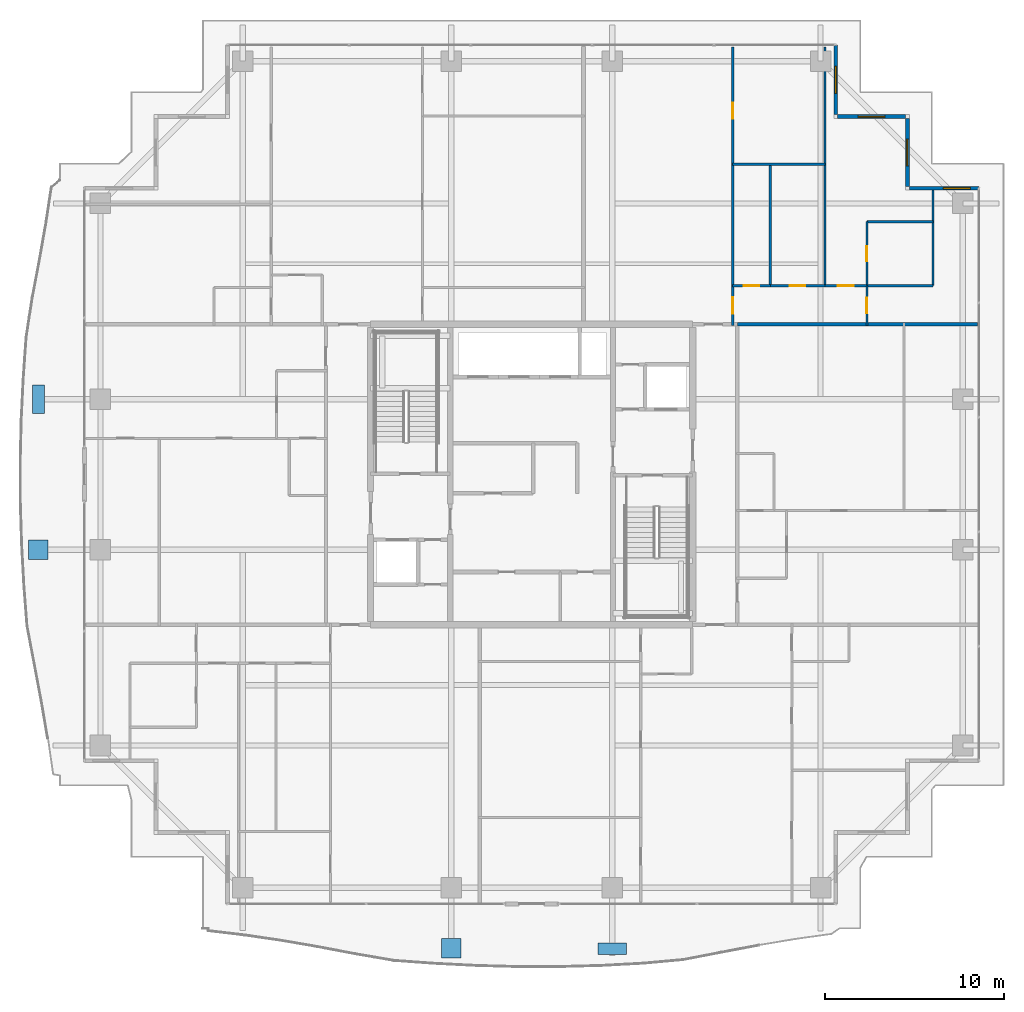
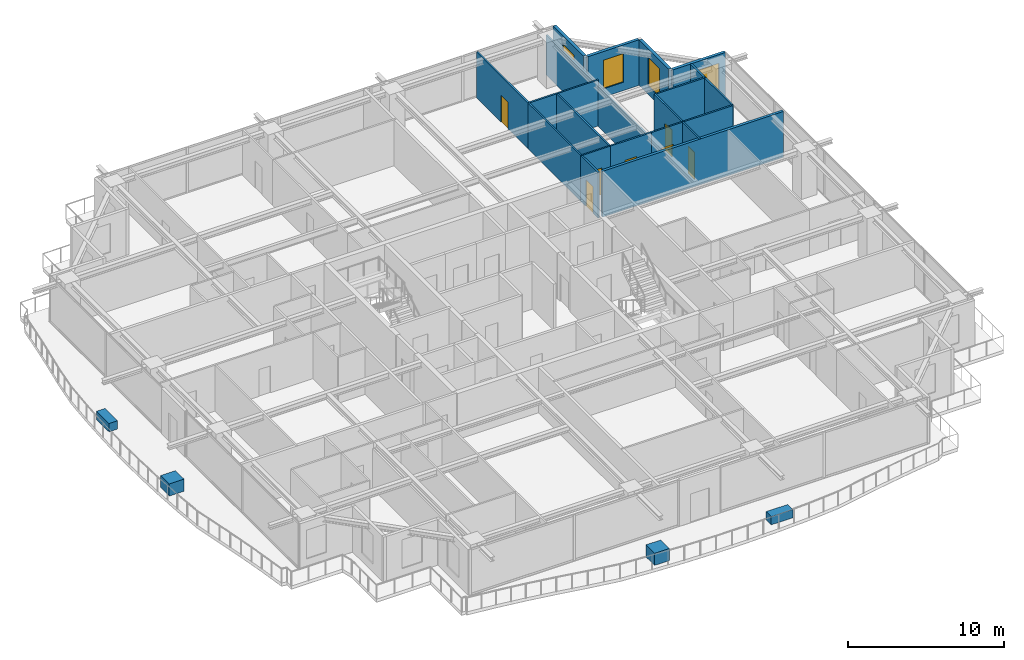
# One storey, part 28 of 35: 19 walls, 7 doors, 4 discrete accessories, 4 windows, 11 openings.
"""IFC4 building model written with IfcOpenShell, lengths in metres."""

from ifc_helpers import new_model, si_unit, direction, frame, frame_2d, origin, origin_2d, place, context, subcontext, project, spatial, rectangle, extrude, source, transform, mapped, material, layer, layer_set, type_object, element, fill, save


model = new_model("IFC4")

# Units and contexts
model_context = context("Model", 3, precision=1e-05, world=origin(), true_north=direction((0.0, 1.0)))
body_context = subcontext(model_context, "Body", "Model", "MODEL_VIEW")
ifc_project = project(units=[si_unit("LENGTHUNIT", "METRE"), si_unit("AREAUNIT", "SQUARE_METRE"), si_unit("VOLUMEUNIT", "CUBIC_METRE"), si_unit("PLANEANGLEUNIT", "RADIAN"), si_unit("MASSUNIT", "GRAM", prefix="KILO")], contexts=[model_context])

# Site, building, storey
site_placement = place(None, origin())
site = spatial("IfcSite", under=ifc_project, at=site_placement, CompositionType="ELEMENT")
building_placement = place(site_placement, origin())
building = spatial("IfcBuilding", under=site, at=building_placement, Name="Serunith Strait Residences", CompositionType="ELEMENT")
storey_placement = place(building_placement, frame((0.0, 0.0, 214.300048828125)))
storey = spatial("IfcBuildingStorey", under=building, at=storey_placement, Name="L53", CompositionType="ELEMENT", Elevation=214.300048828125)

# Wall, opening, window
ifc_material_1 = material(Name="Pale-Champagne Aluminium Insulated Panel", Category="aluminium")
ifc_layer_1 = layer(ifc_material_1, 0.219970703125, Name="Pale-Champagne Aluminium Insulated Panel")
ifc_layer_set_1 = layer_set([ifc_layer_1], Name="Pale-Champagne Aluminium Insulated Panel")
wall_type_1 = type_object("IfcWallType", Name="EW-ALUM-220", PredefinedType="ELEMENTEDWALL", material=ifc_layer_set_1)
wall_1_placement = place(storey_placement, frame((57.39990234375, 41.199951171875, 0.0), z_axis=(0.0, 0.0, 1.0), x_axis=(-1.0, 0.0, 0.0)))
wall_1 = element("IfcWall", 1, at=wall_1_placement, inside=storey, type_object=wall_type_1, Name="L53 Girih Serrated Corner Wall 07", PredefinedType="ELEMENTEDWALL", context=body_context, shape_type="SweptSolid", body=[
    extrude(rectangle(XDim=3.889892578125, YDim=0.219970703125, at=frame_2d((1.94482421875, 0.0))), origin(), (0.0, 0.0, 1.0), 3.574951171875),
])
opening_1_placement = place(wall_1_placement, frame((0.47802734375, 0.0, 0.64990234375)))
opening_1 = element("IfcOpeningElement", 2, at=opening_1_placement, cuts=wall_1, Name="Opening W-05", PredefinedType="OPENING", context=body_context, shape_type="SweptSolid", body=[
    extrude(rectangle(XDim=1.5, YDim=2.25, at=frame_2d((0.75, 1.125))), frame((0.0, 0.1201171875, 0.0), z_axis=(0.0, -1.0, 0.0), x_axis=(1.0, 0.0, 0.0)), (0.0, 0.0, 1.0), 0.239990234375),
])
ifc_material_2 = material(Name="Ceramic-Fritted Operable Aluminium Window Glass", Category="aluminium")
window_type = type_object("IfcWindowType", Name="WIN-C5", PartitioningType="DOUBLE_PANEL_VERTICAL", PredefinedType="WINDOW", material=ifc_material_2)
shared_shape_1 = source(origin(), body_context, "Body", "SweptSolid", [
    extrude(rectangle(XDim=1.5, YDim=2.25, at=frame_2d((0.75, 1.125))), frame((0.0, 0.030029296875, 0.0), z_axis=(0.0, -1.0, 0.0), x_axis=(1.0, 0.0, 0.0)), (0.0, 0.0, 1.0), 0.06005859375),
])
window_1_placement = place(opening_1_placement, origin())
window_1 = element("IfcWindow", 3, at=window_1_placement, inside=storey, type_object=window_type, Name="L53 Corner Operable Fritted Window 07", OverallHeight=2.25, OverallWidth=1.5, PartitioningType="SINGLE_PANEL", PredefinedType="WINDOW", context=body_context, shape_type="MappedRepresentation", body=[
    mapped(shared_shape_1, transform((0.0, 0.0, 0.0), scale=1.0)),
])
fill(opening_1, window_1)

wall_2_placement = place(storey_placement, frame((53.39990234375, 41.31005859375, 0.0), z_axis=(0.0, 0.0, 1.0), x_axis=(0.0, 1.0, 0.0)))
wall_2 = element("IfcWall", 4, at=wall_2_placement, inside=storey, type_object=wall_type_1, Name="L53 Girih Serrated Corner Wall 08", PredefinedType="ELEMENTEDWALL", context=body_context, shape_type="SweptSolid", body=[
    extrude(rectangle(XDim=3.780029296875, YDim=0.219970703125, at=frame_2d((1.89013671875, 0.0))), origin(), (0.0, 0.0, 1.0), 3.574951171875),
])
opening_2_placement = place(wall_2_placement, frame((1.139892578125, 0.0, 0.64990234375)))
opening_2 = element("IfcOpeningElement", 5, at=opening_2_placement, cuts=wall_2, Name="Opening W-05", PredefinedType="OPENING", context=body_context, shape_type="SweptSolid", body=[
    extrude(rectangle(XDim=1.5, YDim=2.25, at=frame_2d((0.75, 1.125))), frame((0.0, 0.1201171875, 0.0), z_axis=(0.0, -1.0, 0.0), x_axis=(1.0, 0.0, 0.0)), (0.0, 0.0, 1.0), 0.239990234375),
])
window_2_placement = place(opening_2_placement, origin())
window_2 = element("IfcWindow", 6, at=window_2_placement, inside=storey, type_object=window_type, Name="L53 Corner Operable Fritted Window 08", OverallHeight=2.25, OverallWidth=1.5, PartitioningType="SINGLE_PANEL", PredefinedType="WINDOW", context=body_context, shape_type="MappedRepresentation", body=[
    mapped(shared_shape_1, transform((0.0, 0.0, 0.0), scale=1.0)),
])
fill(opening_2, window_2)

wall_3_placement = place(storey_placement, frame((53.2900390625, 45.199951171875, 0.0), z_axis=(0.0, 0.0, 1.0), x_axis=(-1.0, 0.0, 0.0)))
wall_3 = element("IfcWall", 7, at=wall_3_placement, inside=storey, type_object=wall_type_1, Name="L53 Girih Serrated Corner Wall 09", PredefinedType="ELEMENTEDWALL", context=body_context, shape_type="SweptSolid", body=[
    extrude(rectangle(XDim=3.780029296875, YDim=0.219970703125, at=frame_2d((1.89013671875, 0.0))), origin(), (0.0, 0.0, 1.0), 3.574951171875),
])
opening_3_placement = place(wall_3_placement, frame((1.139892578125, 0.0, 0.64990234375)))
opening_3 = element("IfcOpeningElement", 8, at=opening_3_placement, cuts=wall_3, Name="Opening W-05", PredefinedType="OPENING", context=body_context, shape_type="SweptSolid", body=[
    extrude(rectangle(XDim=1.5, YDim=2.25, at=frame_2d((0.75, 1.125))), frame((0.0, 0.1201171875, 0.0), z_axis=(0.0, -1.0, 0.0), x_axis=(1.0, 0.0, 0.0)), (0.0, 0.0, 1.0), 0.239990234375),
])
window_3_placement = place(opening_3_placement, origin())
window_3 = element("IfcWindow", 9, at=window_3_placement, inside=storey, type_object=window_type, Name="L53 Corner Operable Fritted Window 09", OverallHeight=2.25, OverallWidth=1.5, PartitioningType="SINGLE_PANEL", PredefinedType="WINDOW", context=body_context, shape_type="MappedRepresentation", body=[
    mapped(shared_shape_1, transform((0.0, 0.0, 0.0), scale=1.0)),
])
fill(opening_3, window_3)

wall_4_placement = place(storey_placement, frame((49.39990234375, 45.31005859375, 0.0), z_axis=(0.0, 0.0, 1.0), x_axis=(0.0, 1.0, 0.0)))
wall_4 = element("IfcWall", 10, at=wall_4_placement, inside=storey, type_object=wall_type_1, Name="L53 Girih Serrated Corner Wall 10", PredefinedType="ELEMENTEDWALL", context=body_context, shape_type="SweptSolid", body=[
    extrude(rectangle(XDim=3.889892578125, YDim=0.219970703125, at=frame_2d((1.94482421875, 0.0))), origin(), (0.0, 0.0, 1.0), 3.574951171875),
])
opening_4_placement = place(wall_4_placement, frame((1.195068359375, 0.0, 0.64990234375)))
opening_4 = element("IfcOpeningElement", 11, at=opening_4_placement, cuts=wall_4, Name="Opening W-05", PredefinedType="OPENING", context=body_context, shape_type="SweptSolid", body=[
    extrude(rectangle(XDim=1.5, YDim=2.25, at=frame_2d((0.75, 1.125))), frame((0.0, 0.1201171875, 0.0), z_axis=(0.0, -1.0, 0.0), x_axis=(1.0, 0.0, 0.0)), (0.0, 0.0, 1.0), 0.239990234375),
])
window_4_placement = place(opening_4_placement, origin())
window_4 = element("IfcWindow", 12, at=window_4_placement, inside=storey, type_object=window_type, Name="L53 Corner Operable Fritted Window 10", OverallHeight=2.25, OverallWidth=1.5, PartitioningType="SINGLE_PANEL", PredefinedType="WINDOW", context=body_context, shape_type="MappedRepresentation", body=[
    mapped(shared_shape_1, transform((0.0, 0.0, 0.0), scale=1.0)),
])
fill(opening_4, window_4)

# Wall, opening, door
ifc_material_3 = material(Name="Lightweight steel-stud gypsum partition", Category="steel")
ifc_layer_2 = layer(ifc_material_3, 0.1201171875, Name="Lightweight steel-stud gypsum partition")
ifc_layer_set_2 = layer_set([ifc_layer_2], Name="Lightweight steel-stud gypsum partition")
wall_type_2 = type_object("IfcWallType", Name="IW-PART-120", PredefinedType="PARTITIONING", material=ifc_layer_set_2)
wall_5_placement = place(storey_placement, frame((43.639892578125, 35.75, 0.0), z_axis=(0.0, 0.0, 1.0), x_axis=(0.0, -1.0, 0.0)))
wall_5 = element("IfcWall", 13, at=wall_5_placement, inside=storey, type_object=wall_type_2, Name="L53 Partition Wall 072", PredefinedType="PARTITIONING", context=body_context, shape_type="SweptSolid", body=[
    extrude(rectangle(XDim=2.2099609375, YDim=0.1201171875, at=frame_2d((1.10498046875, 0.0))), origin(), (0.0, 0.0, 1.0), 3.58984375),
])
opening_5_placement = place(wall_5_placement, frame((0.655029296875, 0.0, 0.0)))
opening_5 = element("IfcOpeningElement", 14, at=opening_5_placement, cuts=wall_5, Name="Opening D-RM900", PredefinedType="OPENING", context=body_context, shape_type="SweptSolid", body=[
    extrude(rectangle(XDim=0.89990234375, YDim=2.10009765625, at=frame_2d((0.449951171875, 1.050048828125))), frame((0.0, 0.070068359375, 0.0), z_axis=(0.0, -1.0, 0.0), x_axis=(1.0, 0.0, 0.0)), (0.0, 0.0, 1.0), 0.14013671875),
])
ifc_material_4 = material(Name="Engineered timber flush bedroom door", Category="wood")
door_type_1 = type_object("IfcDoorType", Name="ID-ROOM-900", OperationType="NOTDEFINED", PredefinedType="DOOR", material=ifc_material_4)
shared_shape_2 = source(origin(), body_context, "Body", "SweptSolid", [
    extrude(rectangle(XDim=0.89990234375, YDim=2.10009765625, at=frame_2d((0.449951171875, 1.050048828125))), frame((0.0, 0.02490234375, 0.0), z_axis=(0.0, -1.0, 0.0), x_axis=(1.0, 0.0, 0.0)), (0.0, 0.0, 1.0), 0.050048828125),
])
door_1_placement = place(opening_5_placement, origin())
door_1 = element("IfcDoor", 15, at=door_1_placement, inside=storey, type_object=door_type_1, Name="L53 Hall E 5304 Door", OperationType="SINGLE_SWING_LEFT", OverallHeight=2.10009765625, OverallWidth=0.89990234375, PredefinedType="DOOR", context=body_context, shape_type="MappedRepresentation", body=[
    mapped(shared_shape_2, transform((0.0, 0.0, 0.0), scale=1.0)),
])
fill(opening_5, door_1)

wall_6_placement = place(storey_placement, frame((43.639892578125, 49.10498046875, 0.0), z_axis=(0.0, 0.0, 1.0), x_axis=(0.0, -1.0, 0.0)))
wall_6 = element("IfcWall", 16, at=wall_6_placement, inside=storey, type_object=wall_type_2, Name="L53 Partition Wall 073", PredefinedType="PARTITIONING", context=body_context, shape_type="SweptSolid", body=[
    extrude(rectangle(XDim=6.56494140625, YDim=0.1201171875, at=frame_2d((3.282470703125, 0.0))), origin(), (0.0, 0.0, 1.0), 3.58984375),
])
opening_6_placement = place(wall_6_placement, frame((3.115966796875, 0.0, 0.0)))
opening_6 = element("IfcOpeningElement", 17, at=opening_6_placement, cuts=wall_6, Name="Opening D-RM900", PredefinedType="OPENING", context=body_context, shape_type="SweptSolid", body=[
    extrude(rectangle(XDim=0.89990234375, YDim=2.10009765625, at=frame_2d((0.449951171875, 1.050048828125))), frame((0.0, 0.070068359375, 0.0), z_axis=(0.0, -1.0, 0.0), x_axis=(1.0, 0.0, 0.0)), (0.0, 0.0, 1.0), 0.14013671875),
])
door_2_placement = place(opening_6_placement, origin())
door_2 = element("IfcDoor", 18, at=door_2_placement, inside=storey, type_object=door_type_1, Name="L53 Formal Dining Room 1 5304 Door", OperationType="SINGLE_SWING_RIGHT", OverallHeight=2.10009765625, OverallWidth=0.89990234375, PredefinedType="DOOR", context=body_context, shape_type="MappedRepresentation", body=[
    mapped(shared_shape_2, transform((0.0, 0.0, 0.0), scale=1.0)),
])
fill(opening_6, door_2)

# Walls
wall_7_placement = place(storey_placement, frame((43.639892578125, 42.5380859375, 0.0), z_axis=(0.0, 0.0, 1.0), x_axis=(0.0, -1.0, 0.0)))
element("IfcWall", 19, at=wall_7_placement, inside=storey, type_object=wall_type_2, Name="L53 Partition Wall 074", PredefinedType="PARTITIONING", context=body_context, shape_type="SweptSolid", body=[
    extrude(rectangle(XDim=6.7861328125, YDim=0.1201171875, at=frame_2d((3.39306640625, 0.0))), origin(), (0.0, 0.0, 1.0), 3.58984375),
])
wall_8_placement = place(storey_placement, frame((43.639892578125, 42.5400390625, 0.0), z_axis=(0.0, 0.0, 1.0), x_axis=(1.0, 0.0, 0.0)))
element("IfcWall", 20, at=wall_8_placement, inside=storey, type_object=wall_type_2, Name="L53 Partition Wall 075", PredefinedType="PARTITIONING", context=body_context, shape_type="SweptSolid", body=[
    extrude(rectangle(XDim=5.150146484375, YDim=0.1201171875, at=frame_2d((2.5751953125, 0.0))), origin(), (0.0, 0.0, 1.0), 3.58984375),
])
wall_9_placement = place(storey_placement, frame((48.7900390625, 49.10498046875, 0.0), z_axis=(0.0, 0.0, 1.0), x_axis=(0.0, -1.0, 0.0)))
element("IfcWall", 21, at=wall_9_placement, inside=storey, type_object=wall_type_2, Name="L53 Partition Wall 076", PredefinedType="PARTITIONING", context=body_context, shape_type="SweptSolid", body=[
    extrude(rectangle(XDim=13.35498046875, YDim=0.1201171875, at=frame_2d((6.677490234375, 0.0))), origin(), (0.0, 0.0, 1.0), 3.1220703125),
])
wall_10_placement = place(storey_placement, frame((45.739990234375, 42.5400390625, 0.0), z_axis=(0.0, 0.0, 1.0), x_axis=(0.0, -1.0, 0.0)))
element("IfcWall", 22, at=wall_10_placement, inside=storey, type_object=wall_type_2, Name="L53 Partition Wall 077", PredefinedType="PARTITIONING", context=body_context, shape_type="SweptSolid", body=[
    extrude(rectangle(XDim=6.7900390625, YDim=0.1201171875, at=frame_2d((3.39501953125, 0.0))), origin(), (0.0, 0.0, 1.0), 3.58984375),
])

# Wall, opening, door
wall_11_placement = place(storey_placement, frame((43.639892578125, 35.75, 0.0), z_axis=(0.0, 0.0, 1.0), x_axis=(1.0, 0.0, 0.0)))
wall_11 = element("IfcWall", 23, at=wall_11_placement, inside=storey, type_object=wall_type_2, Name="L53 Partition Wall 078", PredefinedType="PARTITIONING", context=body_context, shape_type="SweptSolid", body=[
    extrude(rectangle(XDim=2.10009765625, YDim=0.1201171875, at=frame_2d((1.050048828125, 0.0))), origin(), (0.0, 0.0, 1.0), 3.58984375),
])
opening_7_placement = place(wall_11_placement, frame((0.625, 0.0, 0.0)))
opening_7 = element("IfcOpeningElement", 24, at=opening_7_placement, cuts=wall_11, Name="Opening D-BTH850", PredefinedType="OPENING", context=body_context, shape_type="SweptSolid", body=[
    extrude(rectangle(XDim=0.85009765625, YDim=2.10009765625, at=frame_2d((0.425048828125, 1.050048828125))), frame((0.0, 0.070068359375, 0.0), z_axis=(0.0, -1.0, 0.0), x_axis=(1.0, 0.0, 0.0)), (0.0, 0.0, 1.0), 0.14013671875),
])
ifc_material_5 = material(Name="Moisture-resistant timber bathroom door", Category="wood")
door_type_2 = type_object("IfcDoorType", Name="ID-BATH-850", OperationType="NOTDEFINED", PredefinedType="DOOR", material=ifc_material_5)
shared_shape_3 = source(origin(), body_context, "Body", "SweptSolid", [
    extrude(rectangle(XDim=0.85009765625, YDim=2.10009765625, at=frame_2d((0.425048828125, 1.050048828125))), frame((0.0, 0.02490234375, 0.0), z_axis=(0.0, -1.0, 0.0), x_axis=(1.0, 0.0, 0.0)), (0.0, 0.0, 1.0), 0.050048828125),
])
door_3_placement = place(opening_7_placement, origin())
door_3 = element("IfcDoor", 25, at=door_3_placement, inside=storey, type_object=door_type_2, Name="L53 Bathroom 5304 Door", OperationType="SINGLE_SWING_LEFT", OverallHeight=2.10009765625, OverallWidth=0.85009765625, PredefinedType="DOOR", context=body_context, shape_type="MappedRepresentation", body=[
    mapped(shared_shape_3, transform((0.0, 0.0, 0.0), scale=1.0)),
])
fill(opening_7, door_3)

wall_12_placement = place(storey_placement, frame((45.741943359375, 35.75, 0.0), z_axis=(0.0, 0.0, 1.0), x_axis=(1.0, 0.0, 0.0)))
wall_12 = element("IfcWall", 26, at=wall_12_placement, inside=storey, type_object=wall_type_2, Name="L53 Partition Wall 079", PredefinedType="PARTITIONING", context=body_context, shape_type="SweptSolid", body=[
    extrude(rectangle(XDim=3.048095703125, YDim=0.1201171875, at=frame_2d((1.52392578125, 0.0))), origin(), (0.0, 0.0, 1.0), 3.58984375),
])
opening_8_placement = place(wall_12_placement, frame((1.09912109375, 0.0, 0.0)))
opening_8 = element("IfcOpeningElement", 27, at=opening_8_placement, cuts=wall_12, Name="Opening D-RM850", PredefinedType="OPENING", context=body_context, shape_type="SweptSolid", body=[
    extrude(rectangle(XDim=0.85009765625, YDim=2.10009765625, at=frame_2d((0.425048828125, 1.050048828125))), frame((0.0, 0.070068359375, 0.0), z_axis=(0.0, -1.0, 0.0), x_axis=(1.0, 0.0, 0.0)), (0.0, 0.0, 1.0), 0.14013671875),
])
ifc_material_6 = material(Name="Engineered timber flush study and kitchen door", Category="wood")
door_type_3 = type_object("IfcDoorType", Name="ID-ROOM-850", OperationType="NOTDEFINED", PredefinedType="DOOR", material=ifc_material_6)
door_4_placement = place(opening_8_placement, origin())
door_4 = element("IfcDoor", 28, at=door_4_placement, inside=storey, type_object=door_type_3, Name="L53 Kitchen 5304 Door", OperationType="SINGLE_SWING_RIGHT", OverallHeight=2.10009765625, OverallWidth=0.85009765625, PredefinedType="DOOR", context=body_context, shape_type="MappedRepresentation", body=[
    mapped(shared_shape_3, transform((0.0, 0.0, 0.0), scale=1.0)),
])
fill(opening_8, door_4)

wall_13_placement = place(storey_placement, frame((48.7919921875, 35.75, 0.0), z_axis=(0.0, 0.0, 1.0), x_axis=(1.0, 0.0, 0.0)))
wall_13 = element("IfcWall", 29, at=wall_13_placement, inside=storey, type_object=wall_type_2, Name="L53 Partition Wall 080", PredefinedType="PARTITIONING", context=body_context, shape_type="SweptSolid", body=[
    extrude(rectangle(XDim=2.347900390625, YDim=0.1201171875, at=frame_2d((1.173828125, 0.0))), origin(), (0.0, 0.0, 1.0), 3.58984375),
])
opening_9_placement = place(wall_13_placement, frame((0.72412109375, 0.0, 0.0)))
opening_9 = element("IfcOpeningElement", 30, at=opening_9_placement, cuts=wall_13, Name="Opening D-RM900", PredefinedType="OPENING", context=body_context, shape_type="SweptSolid", body=[
    extrude(rectangle(XDim=0.89990234375, YDim=2.10009765625, at=frame_2d((0.449951171875, 1.050048828125))), frame((0.0, 0.070068359375, 0.0), z_axis=(0.0, -1.0, 0.0), x_axis=(1.0, 0.0, 0.0)), (0.0, 0.0, 1.0), 0.14013671875),
])
door_5_placement = place(opening_9_placement, origin())
door_5 = element("IfcDoor", 31, at=door_5_placement, inside=storey, type_object=door_type_1, Name="L53 Master Bedroom E 5304 Door", OperationType="SINGLE_SWING_LEFT", OverallHeight=2.10009765625, OverallWidth=0.89990234375, PredefinedType="DOOR", context=body_context, shape_type="MappedRepresentation", body=[
    mapped(shared_shape_2, transform((0.0, 0.0, 0.0), scale=1.0)),
])
fill(opening_9, door_5)

# Walls
wall_14_placement = place(storey_placement, frame((51.139892578125, 39.3291015625, 0.0), z_axis=(0.0, 0.0, 1.0), x_axis=(1.0, 0.0, 0.0)))
element("IfcWall", 32, at=wall_14_placement, inside=storey, type_object=wall_type_2, Name="L53 Partition Wall 081", PredefinedType="PARTITIONING", context=body_context, shape_type="SweptSolid", body=[
    extrude(rectangle(XDim=3.7001953125, YDim=0.1201171875, at=frame_2d((1.85009765625, 0.0))), origin(), (0.0, 0.0, 1.0), 3.58984375),
])
wall_15_placement = place(storey_placement, frame((54.840087890625, 41.10498046875, 0.0), z_axis=(0.0, 0.0, 1.0), x_axis=(0.0, -1.0, 0.0)))
element("IfcWall", 33, at=wall_15_placement, inside=storey, type_object=wall_type_2, Name="L53 Partition Wall 082", PredefinedType="PARTITIONING", context=body_context, shape_type="SweptSolid", body=[
    extrude(rectangle(XDim=5.35498046875, YDim=0.1201171875, at=frame_2d((2.677490234375, 0.0))), origin(), (0.0, 0.0, 1.0), 3.58984375),
])
wall_16_placement = place(storey_placement, frame((51.14208984375, 35.75, 0.0), z_axis=(0.0, 0.0, 1.0), x_axis=(1.0, 0.0, 0.0)))
element("IfcWall", 34, at=wall_16_placement, inside=storey, type_object=wall_type_2, Name="L53 Partition Wall 083", PredefinedType="PARTITIONING", context=body_context, shape_type="SweptSolid", body=[
    extrude(rectangle(XDim=3.697998046875, YDim=0.1201171875, at=frame_2d((1.84912109375, 0.0))), origin(), (0.0, 0.0, 1.0), 3.58984375),
])

# Wall, opening, door
wall_17_placement = place(storey_placement, frame((51.139892578125, 39.3291015625, 0.0), z_axis=(0.0, 0.0, 1.0), x_axis=(0.0, -1.0, 0.0)))
wall_17 = element("IfcWall", 35, at=wall_17_placement, inside=storey, type_object=wall_type_2, Name="L53 Partition Wall 084", PredefinedType="PARTITIONING", context=body_context, shape_type="SweptSolid", body=[
    extrude(rectangle(XDim=3.5791015625, YDim=0.1201171875, at=frame_2d((1.78955078125, 0.0))), origin(), (0.0, 0.0, 1.0), 3.58984375),
])
opening_10_placement = place(wall_17_placement, frame((1.364990234375, 0.0, 0.0)))
opening_10 = element("IfcOpeningElement", 36, at=opening_10_placement, cuts=wall_17, Name="Opening D-BTH850", PredefinedType="OPENING", context=body_context, shape_type="SweptSolid", body=[
    extrude(rectangle(XDim=0.85009765625, YDim=2.10009765625, at=frame_2d((0.425048828125, 1.050048828125))), frame((0.0, 0.070068359375, 0.0), z_axis=(0.0, -1.0, 0.0), x_axis=(1.0, 0.0, 0.0)), (0.0, 0.0, 1.0), 0.14013671875),
])
door_6_placement = place(opening_10_placement, origin())
door_6 = element("IfcDoor", 37, at=door_6_placement, inside=storey, type_object=door_type_2, Name="L53 En-suite Bathroom E 5304 Door", OperationType="SINGLE_SWING_RIGHT", OverallHeight=2.10009765625, OverallWidth=0.85009765625, PredefinedType="DOOR", context=body_context, shape_type="MappedRepresentation", body=[
    mapped(shared_shape_3, transform((0.0, 0.0, 0.0), scale=1.0)),
])
fill(opening_10, door_6)

wall_18_placement = place(storey_placement, frame((51.139892578125, 35.748046875, 0.0), z_axis=(0.0, 0.0, 1.0), x_axis=(0.0, -1.0, 0.0)))
wall_18 = element("IfcWall", 38, at=wall_18_placement, inside=storey, type_object=wall_type_2, Name="L53 Partition Wall 085", PredefinedType="PARTITIONING", context=body_context, shape_type="SweptSolid", body=[
    extrude(rectangle(XDim=2.2080078125, YDim=0.1201171875, at=frame_2d((1.10400390625, 0.0))), origin(), (0.0, 0.0, 1.0), 3.58984375),
])
opening_11_placement = place(wall_18_placement, frame((0.678955078125, 0.0, 0.0)))
opening_11 = element("IfcOpeningElement", 39, at=opening_11_placement, cuts=wall_18, Name="Opening D-RM850", PredefinedType="OPENING", context=body_context, shape_type="SweptSolid", body=[
    extrude(rectangle(XDim=0.85009765625, YDim=2.10009765625, at=frame_2d((0.425048828125, 1.050048828125))), frame((0.0, 0.070068359375, 0.0), z_axis=(0.0, -1.0, 0.0), x_axis=(1.0, 0.0, 0.0)), (0.0, 0.0, 1.0), 0.14013671875),
])
door_7_placement = place(opening_11_placement, origin())
door_7 = element("IfcDoor", 40, at=door_7_placement, inside=storey, type_object=door_type_3, Name="L53 Wardrobe E 5304 Door", OperationType="SINGLE_SWING_LEFT", OverallHeight=2.10009765625, OverallWidth=0.85009765625, PredefinedType="DOOR", context=body_context, shape_type="MappedRepresentation", body=[
    mapped(shared_shape_3, transform((0.0, 0.0, 0.0), scale=1.0)),
])
fill(opening_11, door_7)

# Wall
ifc_material_7 = material(Name="Twin-stud acoustic gypsum board partition")
ifc_layer_3 = layer(ifc_material_7, 0.199951171875, Name="Twin-stud acoustic gypsum board partition")
ifc_layer_set_3 = layer_set([ifc_layer_3], Name="Twin-stud acoustic gypsum board partition")
wall_type_3 = type_object("IfcWallType", Name="IW-PARTY-200", PredefinedType="PARTITIONING", material=ifc_layer_set_3)
wall_19_placement = place(storey_placement, frame((43.89990234375, 33.60009765625, 0.0), z_axis=(0.0, 0.0, 1.0), x_axis=(1.0, 0.0, 0.0)))
element("IfcWall", 41, at=wall_19_placement, inside=storey, type_object=wall_type_3, Name="L53 Partition Wall 025", PredefinedType="PARTITIONING", context=body_context, shape_type="SweptSolid", body=[
    extrude(rectangle(XDim=13.418212890625, YDim=0.199951171875, at=frame_2d((6.708984375, 0.0))), origin(), (0.0, 0.0, 1.0), 3.58984375),
])

# Discrete accessories
ifc_material_8 = material(Name="GFRC Root-Anchored Structural Planter")
discrete_accessory_type_1 = type_object("IfcDiscreteAccessoryType", Name="ACC-PLANTER-TREE", PredefinedType="USERDEFINED", material=ifc_material_8)
shared_shape_4 = source(origin(), body_context, "Body", "SweptSolid", [
    extrude(rectangle(XDim=1.10009765625, YDim=1.10009765625, at=origin_2d()), origin(), (0.0, 0.0, 1.0), 0.949951171875),
])
for number, where, z_axis, x_axis, name in (
    (42, (27.89990234375, -1.2802734375, -0.0498046875), (0.0, 0.0, 1.0), (1.0, 0.0, 0.0), "L53 Vertical-Forest Tree Planter 02"),
    (43, (4.8212890625, 21.0, -0.0498046875), (0.0, 0.0, 1.0), (0.0, -1.0, 0.0), "L53 Vertical-Forest Tree Planter 14"),
):
    element("IfcDiscreteAccessory", number, at=place(storey_placement, frame(where, z_axis=z_axis, x_axis=x_axis)), inside=storey, type_object=discrete_accessory_type_1, Name=name, ObjectType="PLANTER", PredefinedType="USERDEFINED", context=body_context, shape_type="MappedRepresentation", body=[
        mapped(shared_shape_4, transform((0.0, 0.0, 0.0), scale=1.0)),
    ])
ifc_material_9 = material(Name="GFRC Irrigated Shrub Trough Planter")
discrete_accessory_type_2 = type_object("IfcDiscreteAccessoryType", Name="ACC-PLANTER-SHRUB", PredefinedType="USERDEFINED", material=ifc_material_9)
shared_shape_5 = source(origin(), body_context, "Body", "SweptSolid", [
    extrude(rectangle(XDim=1.60009765625, YDim=0.64990234375, at=origin_2d()), origin(), (0.0, 0.0, 1.0), 0.64990234375),
])
for number, where, z_axis, x_axis, name in (
    (44, (36.89990234375, -1.31884765625, -0.050048828125), (0.0, 0.0, 1.0), (1.0, 0.0, 0.0), "L53 Vertical-Forest Shrub Planter 03"),
    (45, (4.836669921875, 29.39990234375, -0.050048828125), (0.0, 0.0, 1.0), (0.0, -1.0, 0.0), "L53 Vertical-Forest Shrub Planter 15"),
):
    element("IfcDiscreteAccessory", number, at=place(storey_placement, frame(where, z_axis=z_axis, x_axis=x_axis)), inside=storey, type_object=discrete_accessory_type_2, Name=name, ObjectType="PLANTER", PredefinedType="USERDEFINED", context=body_context, shape_type="MappedRepresentation", body=[
        mapped(shared_shape_5, transform((0.0, 0.0, 0.0), scale=1.0)),
    ])

save(model, "model.ifc")
